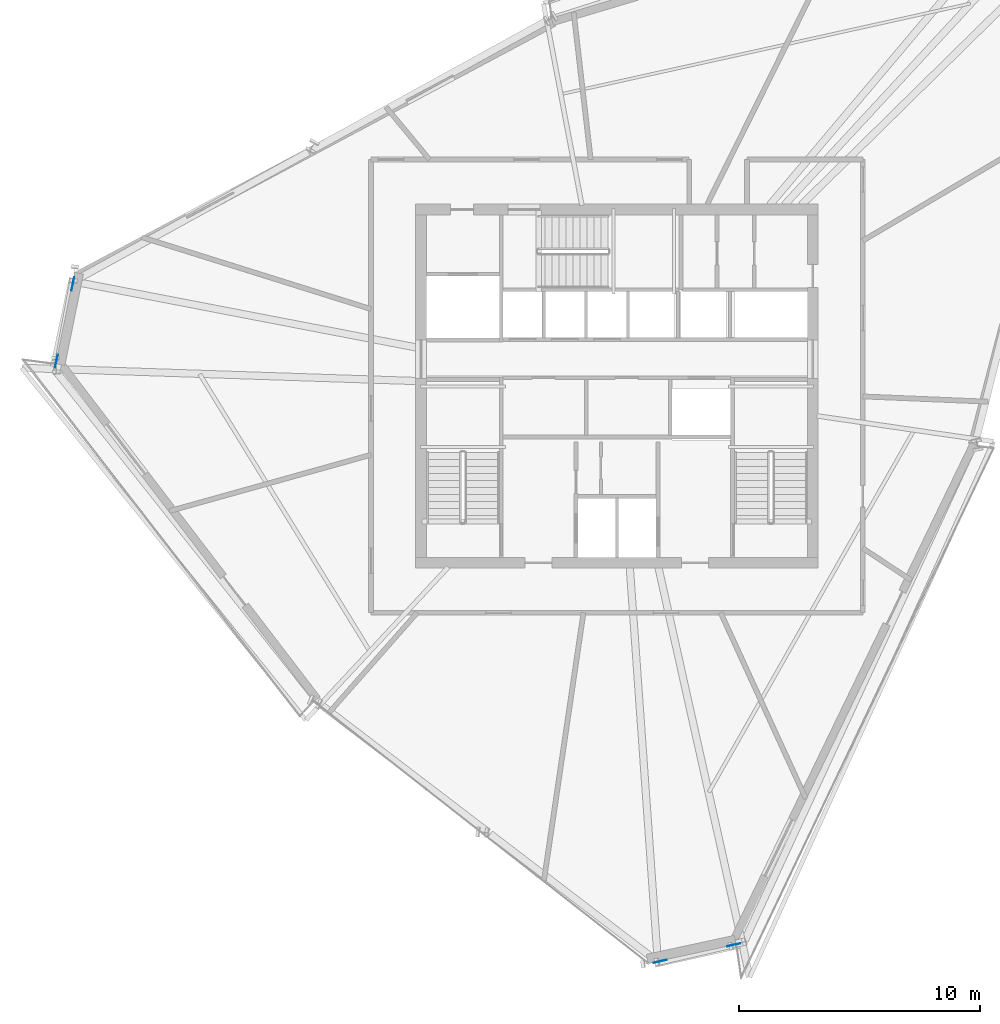
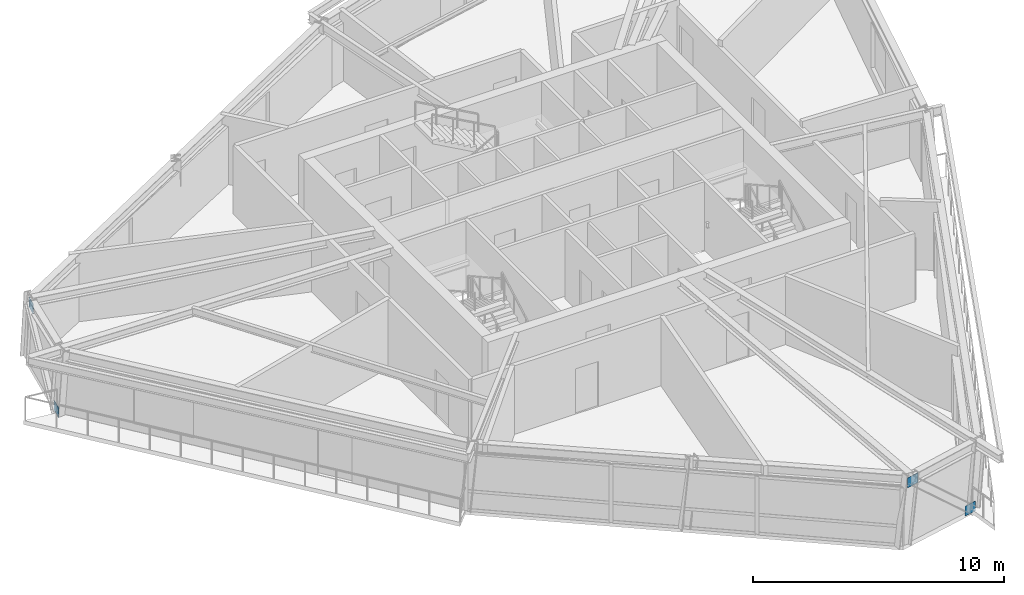
# One storey, part 6 of 14: 4 plates.
"""IFC4 building model written with IfcOpenShell, lengths in metres."""

from ifc_helpers import new_model, si_unit, direction, frame, origin, origin_2d, place, context, subcontext, project, spatial, rectangle, extrude, source, transform, mapped, material, type_object, element, save


model = new_model("IFC4")

# Units and contexts
model_context = context("Model", 3, precision=1e-05, world=origin(), true_north=direction((0.0, 1.0)))
body_context = subcontext(model_context, "Body", "Model", "MODEL_VIEW")
ifc_project = project(units=[si_unit("LENGTHUNIT", "METRE"), si_unit("AREAUNIT", "SQUARE_METRE"), si_unit("VOLUMEUNIT", "CUBIC_METRE"), si_unit("PLANEANGLEUNIT", "RADIAN"), si_unit("MASSUNIT", "GRAM", prefix="KILO")], contexts=[model_context])

# Site, building, storey
site_placement = place(None, origin())
site = spatial("IfcSite", under=ifc_project, at=site_placement, CompositionType="ELEMENT")
building_placement = place(site_placement, origin())
building = spatial("IfcBuilding", under=site, at=building_placement, Name="Olszyna Solenne Hotel", CompositionType="ELEMENT")
storey_placement = place(building_placement, frame((0.0, 0.0, 223.800048828125)))
storey = spatial("IfcBuildingStorey", under=building, at=storey_placement, Name="L59", CompositionType="ELEMENT", Elevation=223.800048828125)

# Plates
ifc_material = material(Name="Steel S355J2", Category="steel")
plate_type = type_object("IfcPlateType", Name="GP-ND2", PredefinedType="USERDEFINED", material=ifc_material)
shared_shape = source(origin(), body_context, "Body", "SweptSolid", [
    extrude(rectangle(XDim=0.56005859375, YDim=0.02001953125, at=origin_2d()), origin(), (0.0, 0.0, 1.0), 0.47998046875),
])
for number, where, z_axis, x_axis, name in (
    (1, (14.7421875, 27.6337890625, -0.137939453125), (0.0, 0.0, 1.0), (0.208594515944, 0.978002212635, 0.0), "Brace end connection gusset plate GP-ND2 EP-BR-L59-2-1"),
    (2, (15.42578125, 30.83935546875, 2.722900390625), (0.0, 0.0, 1.0), (0.208594515944, 0.978002212635, 0.0), "Brace end connection gusset plate GP-ND2 EP-BR-L59-2-2"),
    (3, (42.8427734375, 3.416259765625, -0.135498046875), (0.0, 0.0, 1.0), (-0.975954820253, -0.217972908468, 0.0), "Brace end connection gusset plate GP-ND2 EP-BR-L59-3-1"),
    (4, (39.798583984375, 2.736083984375, 2.720458984375), (0.0, 0.0, 1.0), (-0.975954820253, -0.217972908468, 0.0), "Brace end connection gusset plate GP-ND2 EP-BR-L59-3-2"),
):
    element("IfcPlate", number, at=place(storey_placement, frame(where, z_axis=z_axis, x_axis=x_axis)), inside=storey, type_object=plate_type, Name=name, ObjectType="GUSSET_PLATE", PredefinedType="USERDEFINED", context=body_context, shape_type="MappedRepresentation", body=[
        mapped(shared_shape, transform((0.0, 0.0, 0.0), x_axis=(1.0, 0.0, 0.0), y_axis=(0.0, 1.0, 0.0), z_axis=(0.0, 0.0, 1.0), scale=1.0)),
    ])

save(model, "model.ifc")
